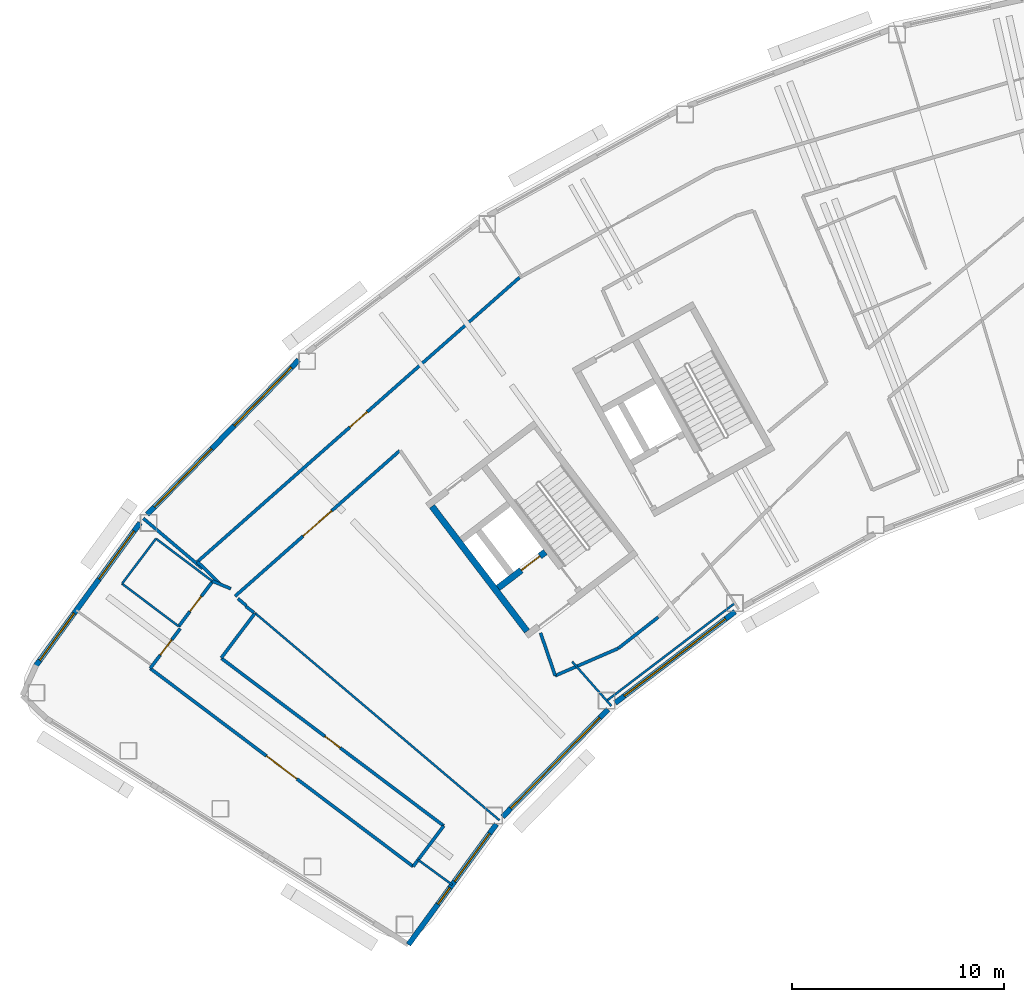
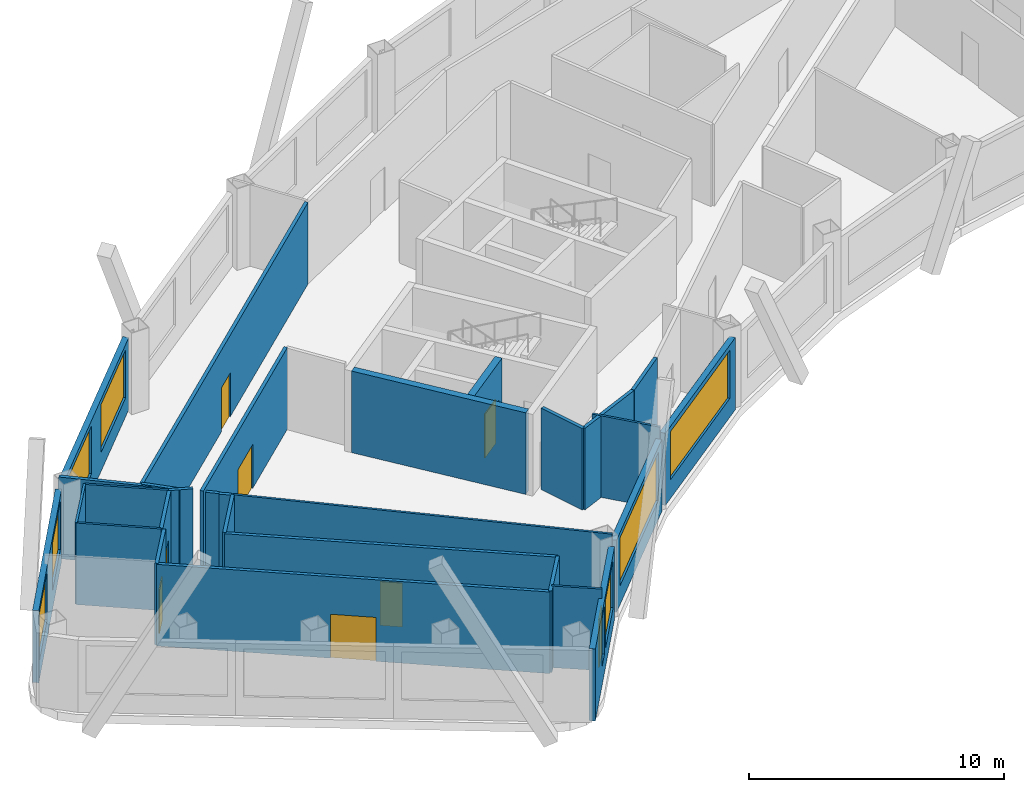
# One storey, part 5 of 13: 30 walls, 8 windows, 7 doors, 15 openings.
"""IFC4 building model written with IfcOpenShell, lengths in metres."""

from ifc_helpers import new_model, si_unit, direction, frame, frame_2d, origin, place, context, subcontext, project, spatial, rectangle, extrude, material, layer, layer_set, type_object, element, fill, save


model = new_model("IFC4")

# Units and contexts
model_context = context("Model", 3, precision=1e-05, world=origin(), true_north=direction((0.0, 1.0)))
body_context = subcontext(model_context, "Body", "Model", "MODEL_VIEW")
ifc_project = project(units=[si_unit("LENGTHUNIT", "METRE"), si_unit("AREAUNIT", "SQUARE_METRE"), si_unit("VOLUMEUNIT", "CUBIC_METRE"), si_unit("PLANEANGLEUNIT", "RADIAN"), si_unit("MASSUNIT", "GRAM", prefix="KILO")], contexts=[model_context])

# Site, building, storey
site_placement = place(None, origin())
site = spatial("IfcSite", under=ifc_project, at=site_placement, CompositionType="ELEMENT")
building_placement = place(site_placement, origin())
building = spatial("IfcBuilding", under=site, at=building_placement, Name="Tuul Gate Civic Tower", CompositionType="ELEMENT")
storey_placement = place(building_placement, frame((0.0, 0.0, 319.699951171875)))
storey = spatial("IfcBuildingStorey", under=building, at=storey_placement, Name="Level 72", CompositionType="ELEMENT", Elevation=319.699951171875)

# Wall, opening, door
ifc_material_1 = material(Name="Concrete C50/60", Category="concrete")
ifc_layer_1 = layer(ifc_material_1, 0.300048828125)
ifc_layer_set_1 = layer_set([ifc_layer_1], Name="Concrete C50/60")
wall_type_1 = type_object("IfcWallType", Name="Core wall C50/60", PredefinedType="SHEAR", material=ifc_layer_set_1)
wall_1_placement = place(storey_placement, frame((-35.470947265625, -13.66064453125, 0.0), z_axis=(0.0, 0.0, 1.0), x_axis=(-0.795615822227, -0.605801504968, 0.0)))
wall_1 = element("IfcWall", 1, at=wall_1_placement, inside=storey, type_object=wall_type_1, Name="Core wall", PredefinedType="SHEAR", context=body_context, shape_type="SweptSolid", body=[
    extrude(rectangle(XDim=2.800048828125, YDim=0.300048828125, at=frame_2d((1.39990234375, 0.0))), origin(), (0.0, 0.0, 1.0), 3.900146484375),
])
opening_1_placement = place(wall_1_placement, frame((0.324951171875, 0.0, 0.0)))
opening_1 = element("IfcOpeningElement", 2, at=opening_1_placement, cuts=wall_1, Name="Opening LD-H1", PredefinedType="OPENING", context=body_context, shape_type="SweptSolid", body=[
    extrude(rectangle(XDim=1.10009765625, YDim=2.10009765625, at=frame_2d((0.550048828125, 1.050048828125))), frame((0.0, 0.16015625, 0.0), z_axis=(0.0, -1.0, 0.0), x_axis=(1.0, 0.0, 0.0)), (0.0, 0.0, 1.0), 0.320068359375),
])
ifc_material_2 = material(Name="Stainless steel", Category="steel")
door_type_1 = type_object("IfcDoorType", Name="Landing door", OperationType="DOUBLE_DOOR_SLIDING", PredefinedType="DOOR", material=ifc_material_2)
door_1_placement = place(opening_1_placement, origin())
door_1 = element("IfcDoor", 3, at=door_1_placement, inside=storey, type_object=door_type_1, Name="High-rise lift H1 landing door", OperationType="DOUBLE_DOOR_SLIDING", OverallHeight=2.10009765625, OverallWidth=1.10009765625, PredefinedType="DOOR", context=body_context, shape_type="SweptSolid", body=[
    extrude(rectangle(XDim=1.10009765625, YDim=2.10009765625, at=frame_2d((0.550048828125, 1.050048828125))), frame((0.0, 0.02490234375, 0.0), z_axis=(0.0, -1.0, 0.0), x_axis=(1.0, 0.0, 0.0)), (0.0, 0.0, 1.0), 0.050048828125),
])
fill(opening_1, door_1)

# Wall
wall_2_placement = place(storey_placement, frame((-36.333984375, -17.397216796875, 0.0), z_axis=(0.0, 0.0, 1.0), x_axis=(-0.605753921168, 0.795652051458, 0.0)))
element("IfcWall", 4, at=wall_2_placement, inside=storey, type_object=wall_type_1, Name="Core wall", PredefinedType="SHEAR", context=body_context, shape_type="SweptSolid", body=[
    extrude(rectangle(XDim=7.400146484375, YDim=0.300048828125, at=frame_2d((3.7001953125, 0.0))), origin(), (0.0, 0.0, 1.0), 3.900146484375),
])

# Wall, opening, door
ifc_material_3 = material(Name="Gypsum board partition")
ifc_layer_2 = layer(ifc_material_3, 0.14990234375)
ifc_layer_set_2 = layer_set([ifc_layer_2], Name="Gypsum board partition")
wall_type_2 = type_object("IfcWallType", Name="Corridor wall P150", PredefinedType="PARTITIONING", material=ifc_layer_set_2)
wall_3_placement = place(storey_placement, frame((-51.87841796875, -14.11865234375, 0.0), z_axis=(0.0, 0.0, 1.0), x_axis=(0.749760133778, 0.661709711125, 0.0)))
wall_3 = element("IfcWall", 5, at=wall_3_placement, inside=storey, type_object=wall_type_2, Name="p037", PredefinedType="PARTITIONING", context=body_context, shape_type="SweptSolid", body=[
    extrude(rectangle(XDim=20.260498046875, YDim=0.14990234375, at=frame_2d((10.13037109375, 0.0))), origin(), (0.0, 0.0, 1.0), 3.900146484375),
])
opening_2_placement = place(wall_3_placement, frame((9.580078125, 0.0, 0.0)))
opening_2 = element("IfcOpeningElement", 6, at=opening_2_placement, cuts=wall_3, Name="Opening AA-D05", PredefinedType="OPENING", context=body_context, shape_type="SweptSolid", body=[
    extrude(rectangle(XDim=1.10009765625, YDim=2.10009765625, at=frame_2d((0.550048828125, 1.050048828125))), frame((0.0, 0.0849609375, 0.0), z_axis=(0.0, -1.0, 0.0), x_axis=(1.0, 0.0, 0.0)), (0.0, 0.0, 1.0), 0.169921875),
])
ifc_material_4 = material(Name="Timber door leaf", Category="wood")
door_type_2 = type_object("IfcDoorType", Name="Door D11", OperationType="NOTDEFINED", PredefinedType="DOOR", material=ifc_material_4)
door_2_placement = place(opening_2_placement, origin())
door_2 = element("IfcDoor", 7, at=door_2_placement, inside=storey, type_object=door_type_2, Name="Door AA-D05", OperationType="SINGLE_SWING_RIGHT", OverallHeight=2.10009765625, OverallWidth=1.10009765625, PredefinedType="DOOR", context=body_context, shape_type="SweptSolid", body=[
    extrude(rectangle(XDim=1.10009765625, YDim=2.10009765625, at=frame_2d((0.550048828125, 1.050048828125))), frame((0.0, 0.02490234375, 0.0), z_axis=(0.0, -1.0, 0.0), x_axis=(1.0, 0.0, 0.0)), (0.0, 0.0, 1.0), 0.050048828125),
])
fill(opening_2, door_2)

# Walls
wall_4_placement = place(storey_placement, frame((-51.87841796875, -14.11962890625, 0.0), z_axis=(0.0, 0.0, 1.0), x_axis=(0.711673860688, -0.702510011326, 0.0)))
element("IfcWall", 8, at=wall_4_placement, inside=storey, type_object=wall_type_2, Name="p038", PredefinedType="PARTITIONING", context=body_context, shape_type="SweptSolid", body=[
    extrude(rectangle(XDim=1.57177734375, YDim=0.14990234375, at=frame_2d((0.785888671875, 0.0))), origin(), (0.0, 0.0, 1.0), 3.900146484375),
])
wall_5_placement = place(storey_placement, frame((-54.4326171875, -12.07421875, 0.0), z_axis=(0.0, 0.0, 1.0), x_axis=(0.762901166705, -0.646515127309, 0.0)))
element("IfcWall", 9, at=wall_5_placement, inside=storey, type_object=wall_type_2, Name="p039", PredefinedType="PARTITIONING", context=body_context, shape_type="SweptSolid", body=[
    extrude(rectangle(XDim=3.666748046875, YDim=0.14990234375, at=frame_2d((1.83349609375, 0.0))), origin(), (0.0, 0.0, 1.0), 3.900146484375),
])
wall_6_placement = place(storey_placement, frame((-49.968994140625, -15.857421875, 0.0), z_axis=(0.0, 0.0, 1.0), x_axis=(0.762801987049, -0.64663214315, 0.0)))
element("IfcWall", 10, at=wall_6_placement, inside=storey, type_object=wall_type_2, Name="p040", PredefinedType="PARTITIONING", context=body_context, shape_type="SweptSolid", body=[
    extrude(rectangle(XDim=0.523193359375, YDim=0.14990234375, at=frame_2d((0.26171875, 0.0))), origin(), (0.0, 0.0, 1.0), 3.900146484375),
])
wall_7_placement = place(storey_placement, frame((-41.705078125, -28.493408203125, 0.0), z_axis=(0.0, 0.0, 1.0), x_axis=(0.601790021966, 0.798654349179, 0.0)))
element("IfcWall", 11, at=wall_7_placement, inside=storey, type_object=wall_type_2, Name="p046", PredefinedType="PARTITIONING", context=body_context, shape_type="SweptSolid", body=[
    extrude(rectangle(XDim=2.3984375, YDim=0.14990234375, at=frame_2d((1.19921875, 0.0))), origin(), (0.0, 0.0, 1.0), 3.900146484375),
])

# Wall, opening, door
wall_8_placement = place(storey_placement, frame((-50.7451171875, -18.67724609375, 0.0), z_axis=(0.0, 0.0, 1.0), x_axis=(0.798640971106, -0.601807776015, 0.0)))
wall_8 = element("IfcWall", 12, at=wall_8_placement, inside=storey, type_object=wall_type_2, Name="p047", PredefinedType="PARTITIONING", context=body_context, shape_type="SweptSolid", body=[
    extrude(rectangle(XDim=13.12646484375, YDim=0.14990234375, at=frame_2d((6.563232421875, 0.0))), origin(), (0.0, 0.0, 1.0), 3.900146484375),
])
opening_3_placement = place(wall_8_placement, frame((6.11328125, 0.0, 0.0)))
opening_3 = element("IfcOpeningElement", 13, at=opening_3_placement, cuts=wall_8, Name="Opening AA-D06", PredefinedType="OPENING", context=body_context, shape_type="SweptSolid", body=[
    extrude(rectangle(XDim=0.89990234375, YDim=2.10009765625, at=frame_2d((0.449951171875, 1.050048828125))), frame((0.0, 0.0849609375, 0.0), z_axis=(0.0, -1.0, 0.0), x_axis=(1.0, 0.0, 0.0)), (0.0, 0.0, 1.0), 0.169921875),
])
ifc_material_5 = material(Name="Timber door leaf", Category="wood")
door_type_3 = type_object("IfcDoorType", Name="Door D09", OperationType="NOTDEFINED", PredefinedType="DOOR", material=ifc_material_5)
door_3_placement = place(opening_3_placement, origin())
door_3 = element("IfcDoor", 14, at=door_3_placement, inside=storey, type_object=door_type_3, Name="Door AA-D06", OperationType="SINGLE_SWING_RIGHT", OverallHeight=2.10009765625, OverallWidth=0.89990234375, PredefinedType="DOOR", context=body_context, shape_type="SweptSolid", body=[
    extrude(rectangle(XDim=0.89990234375, YDim=2.10009765625, at=frame_2d((0.449951171875, 1.050048828125))), frame((0.0, 0.02490234375, 0.0), z_axis=(0.0, -1.0, 0.0), x_axis=(1.0, 0.0, 0.0)), (0.0, 0.0, 1.0), 0.050048828125),
])
fill(opening_3, door_3)

# Wall
wall_9_placement = place(storey_placement, frame((-50.7490234375, -18.649169921875, 0.0), z_axis=(0.0, 0.0, 1.0), x_axis=(0.601833006212, 0.798621958522, 0.0)))
element("IfcWall", 15, at=wall_9_placement, inside=storey, type_object=wall_type_2, Name="p048", PredefinedType="PARTITIONING", context=body_context, shape_type="SweptSolid", body=[
    extrude(rectangle(XDim=2.618896484375, YDim=0.14990234375, at=frame_2d((1.3095703125, 0.0))), origin(), (0.0, 0.0, 1.0), 3.900146484375),
])

# Wall, opening, door
wall_10_placement = place(storey_placement, frame((-52.7626953125, -17.1689453125, 0.0), z_axis=(0.0, 0.0, 1.0), x_axis=(0.601806091049, 0.798642240792, 0.0)))
wall_10 = element("IfcWall", 16, at=wall_10_placement, inside=storey, type_object=wall_type_2, Name="p049", PredefinedType="PARTITIONING", context=body_context, shape_type="SweptSolid", body=[
    extrude(rectangle(XDim=2.657958984375, YDim=0.14990234375, at=frame_2d((1.3291015625, 0.0))), origin(), (0.0, 0.0, 1.0), 3.900146484375),
])
opening_4_placement = place(wall_10_placement, frame((0.879150390625, 0.0, 0.0)))
opening_4 = element("IfcOpeningElement", 17, at=opening_4_placement, cuts=wall_10, Name="Opening AA-D07", PredefinedType="OPENING", context=body_context, shape_type="SweptSolid", body=[
    extrude(rectangle(XDim=0.89990234375, YDim=2.10009765625, at=frame_2d((0.449951171875, 1.050048828125))), frame((0.0, 0.0849609375, 0.0), z_axis=(0.0, -1.0, 0.0), x_axis=(1.0, 0.0, 0.0)), (0.0, 0.0, 1.0), 0.169921875),
])
door_4_placement = place(opening_4_placement, origin())
door_4 = element("IfcDoor", 18, at=door_4_placement, inside=storey, type_object=door_type_3, Name="Door AA-D07", OperationType="SINGLE_SWING_RIGHT", OverallHeight=2.10009765625, OverallWidth=0.89990234375, PredefinedType="DOOR", context=body_context, shape_type="SweptSolid", body=[
    extrude(rectangle(XDim=0.89990234375, YDim=2.10009765625, at=frame_2d((0.449951171875, 1.050048828125))), frame((0.0, 0.02490234375, 0.0), z_axis=(0.0, -1.0, 0.0), x_axis=(1.0, 0.0, 0.0)), (0.0, 0.0, 1.0), 0.050048828125),
])
fill(opening_4, door_4)

# Walls
wall_11_placement = place(storey_placement, frame((-51.18701171875, -15.028076171875, 0.0), z_axis=(0.0, 0.0, 1.0), x_axis=(0.924566919074, -0.381019700481, 0.0)))
element("IfcWall", 19, at=wall_11_placement, inside=storey, type_object=wall_type_2, Name="p050", PredefinedType="PARTITIONING", context=body_context, shape_type="SweptSolid", body=[
    extrude(rectangle(XDim=0.955322265625, YDim=0.14990234375, at=frame_2d((0.4775390625, 0.0))), origin(), (0.0, 0.0, 1.0), 3.900146484375),
])
wall_12_placement = place(storey_placement, frame((-49.594482421875, -16.228515625, 0.0), z_axis=(0.0, 0.0, 1.0), x_axis=(0.798668600467, -0.60177110817, 0.0)))
element("IfcWall", 20, at=wall_12_placement, inside=storey, type_object=wall_type_2, Name="p051", PredefinedType="PARTITIONING", context=body_context, shape_type="SweptSolid", body=[
    extrude(rectangle(XDim=0.48486328125, YDim=0.14990234375, at=frame_2d((0.242431640625, 0.0))), origin(), (0.0, 0.0, 1.0), 3.900146484375),
])

# Wall, opening, door
wall_13_placement = place(storey_placement, frame((-54.105224609375, -19.1494140625, 0.0), z_axis=(0.0, 0.0, 1.0), x_axis=(0.601810855583, 0.798638650519, 0.0)))
wall_13 = element("IfcWall", 21, at=wall_13_placement, inside=storey, type_object=wall_type_2, Name="p055", PredefinedType="PARTITIONING", context=body_context, shape_type="SweptSolid", body=[
    extrude(rectangle(XDim=2.349365234375, YDim=0.14990234375, at=frame_2d((1.1748046875, 0.0))), origin(), (0.0, 0.0, 1.0), 3.900146484375),
])
opening_5_placement = place(wall_13_placement, frame((0.788818359375, 0.0, 0.0)))
opening_5 = element("IfcOpeningElement", 22, at=opening_5_placement, cuts=wall_13, Name="Opening AA-D26", PredefinedType="OPENING", context=body_context, shape_type="SweptSolid", body=[
    extrude(rectangle(XDim=0.89990234375, YDim=2.10009765625, at=frame_2d((0.449951171875, 1.050048828125))), frame((0.0, 0.0849609375, 0.0), z_axis=(0.0, -1.0, 0.0), x_axis=(1.0, 0.0, 0.0)), (0.0, 0.0, 1.0), 0.169921875),
])
door_5_placement = place(opening_5_placement, origin())
door_5 = element("IfcDoor", 23, at=door_5_placement, inside=storey, type_object=door_type_3, Name="Door AA-D26", OperationType="SINGLE_SWING_LEFT", OverallHeight=2.10009765625, OverallWidth=0.89990234375, PredefinedType="DOOR", context=body_context, shape_type="SweptSolid", body=[
    extrude(rectangle(XDim=0.89990234375, YDim=2.10009765625, at=frame_2d((0.449951171875, 1.050048828125))), frame((0.0, 0.02490234375, 0.0), z_axis=(0.0, -1.0, 0.0), x_axis=(1.0, 0.0, 0.0)), (0.0, 0.0, 1.0), 0.050048828125),
])
fill(opening_5, door_5)

wall_14_placement = place(storey_placement, frame((-54.10498046875, -19.150390625, 0.0), z_axis=(0.0, 0.0, 1.0), x_axis=(0.798635479728, -0.601815063387, 0.0)))
wall_14 = element("IfcWall", 24, at=wall_14_placement, inside=storey, type_object=wall_type_2, Name="p056", PredefinedType="PARTITIONING", context=body_context, shape_type="SweptSolid", body=[
    extrude(rectangle(XDim=15.525146484375, YDim=0.14990234375, at=frame_2d((7.7626953125, 0.0))), origin(), (0.0, 0.0, 1.0), 3.900146484375),
])
opening_6_placement = place(wall_14_placement, frame((6.862548828125, 0.0, 0.0)))
opening_6 = element("IfcOpeningElement", 25, at=opening_6_placement, cuts=wall_14, Name="Opening AA-D08", PredefinedType="OPENING", context=body_context, shape_type="SweptSolid", body=[
    extrude(rectangle(XDim=1.800048828125, YDim=2.10009765625, at=frame_2d((0.89990234375, 1.050048828125))), frame((0.0, 0.0849609375, 0.0), z_axis=(0.0, -1.0, 0.0), x_axis=(1.0, 0.0, 0.0)), (0.0, 0.0, 1.0), 0.169921875),
])
ifc_material_6 = material(Name="Timber door leaf, double", Category="wood")
door_type_4 = type_object("IfcDoorType", Name="Door D18", OperationType="DOUBLE_DOOR_SINGLE_SWING", PredefinedType="DOOR", material=ifc_material_6)
door_6_placement = place(opening_6_placement, frame((1.800048828125, 0.0, 0.0), z_axis=(0.0, 0.0, 1.0), x_axis=(-1.0, 0.0, 0.0)))
door_6 = element("IfcDoor", 26, at=door_6_placement, inside=storey, type_object=door_type_4, Name="Door AA-D08", OperationType="DOUBLE_DOOR_SINGLE_SWING", OverallHeight=2.10009765625, OverallWidth=1.800048828125, PredefinedType="DOOR", context=body_context, shape_type="SweptSolid", body=[
    extrude(rectangle(XDim=1.800048828125, YDim=2.10009765625, at=frame_2d((0.900146484375, 1.050048828125))), frame((0.0, 0.02490234375, 0.0), z_axis=(0.0, -1.0, 0.0), x_axis=(1.0, 0.0, 0.0)), (0.0, 0.0, 1.0), 0.050048828125),
])
fill(opening_6, door_6)

# Walls
wall_15_placement = place(storey_placement, frame((-35.00390625, -19.4951171875, 0.0), z_axis=(0.0, 0.0, 1.0), x_axis=(0.917587753469, 0.397533287517, 0.0)))
element("IfcWall", 27, at=wall_15_placement, inside=storey, type_object=wall_type_2, Name="p078", PredefinedType="PARTITIONING", context=body_context, shape_type="SweptSolid", body=[
    extrude(rectangle(XDim=3.234130859375, YDim=0.14990234375, at=frame_2d((1.6171875, 0.0))), origin(), (0.0, 0.0, 1.0), 3.900146484375),
])
wall_16_placement = place(storey_placement, frame((-32.035400390625, -18.20947265625, 0.0), z_axis=(0.0, 0.0, 1.0), x_axis=(0.788045977817, 0.615616387734, 0.0)))
element("IfcWall", 28, at=wall_16_placement, inside=storey, type_object=wall_type_2, Name="p093", PredefinedType="PARTITIONING", context=body_context, shape_type="SweptSolid", body=[
    extrude(rectangle(XDim=2.3984375, YDim=0.14990234375, at=frame_2d((1.19921875, 0.0))), origin(), (0.0, 0.0, 1.0), 3.900146484375),
])

# Wall, opening, door
wall_17_placement = place(storey_placement, frame((-50.102294921875, -15.744384765625, 0.0), z_axis=(0.0, 0.0, 1.0), x_axis=(0.749324461292, 0.662203029069, 0.0)))
wall_17 = element("IfcWall", 29, at=wall_17_placement, inside=storey, type_object=wall_type_2, Name="p095", PredefinedType="PARTITIONING", context=body_context, shape_type="SweptSolid", body=[
    extrude(rectangle(XDim=10.357421875, YDim=0.14990234375, at=frame_2d((5.1787109375, 0.0))), origin(), (0.0, 0.0, 1.0), 3.900146484375),
])
opening_7_placement = place(wall_17_placement, frame((4.278564453125, 0.0, 0.0)))
opening_7 = element("IfcOpeningElement", 30, at=opening_7_placement, cuts=wall_17, Name="Opening AA-D19", PredefinedType="OPENING", context=body_context, shape_type="SweptSolid", body=[
    extrude(rectangle(XDim=1.800048828125, YDim=2.10009765625, at=frame_2d((0.89990234375, 1.050048828125))), frame((0.0, 0.0849609375, 0.0), z_axis=(0.0, -1.0, 0.0), x_axis=(1.0, 0.0, 0.0)), (0.0, 0.0, 1.0), 0.169921875),
])
door_7_placement = place(opening_7_placement, frame((1.800048828125, 0.0, 0.0), z_axis=(0.0, 0.0, 1.0), x_axis=(-1.0, 0.0, 0.0)))
door_7 = element("IfcDoor", 31, at=door_7_placement, inside=storey, type_object=door_type_4, Name="Door AA-D19", OperationType="DOUBLE_DOOR_SINGLE_SWING", OverallHeight=2.10009765625, OverallWidth=1.800048828125, PredefinedType="DOOR", context=body_context, shape_type="SweptSolid", body=[
    extrude(rectangle(XDim=1.800048828125, YDim=2.10009765625, at=frame_2d((0.900146484375, 1.050048828125))), frame((0.0, 0.02490234375, 0.0), z_axis=(0.0, -1.0, 0.0), x_axis=(1.0, 0.0, 0.0)), (0.0, 0.0, 1.0), 0.050048828125),
])
fill(opening_7, door_7)

# Wall
wall_18_placement = place(storey_placement, frame((-35.695556640625, -17.4765625, 0.0), z_axis=(0.0, 0.0, 1.0), x_axis=(0.324145880137, -0.946007108002, 0.0)))
element("IfcWall", 32, at=wall_18_placement, inside=storey, type_object=wall_type_2, Name="p097", PredefinedType="PARTITIONING", context=body_context, shape_type="SweptSolid", body=[
    extrude(rectangle(XDim=2.1337890625, YDim=0.14990234375, at=frame_2d((1.06689453125, 0.0))), origin(), (0.0, 0.0, 1.0), 3.900146484375),
])

# Wall, openings, windows
ifc_material_7 = material(Name="Precast concrete C40/50", Category="concrete")
ifc_layer_3 = layer(ifc_material_7, 0.25)
ifc_layer_set_3 = layer_set([ifc_layer_3], Name="Precast concrete C40/50")
wall_type_3 = type_object("IfcWallType", Name="External wall", PredefinedType="STANDARD", material=ifc_layer_set_3)
wall_19_placement = place(storey_placement, frame((-47.10595703125, -4.607666015625, 0.0), z_axis=(0.0, 0.0, 1.0), x_axis=(-0.700055609081, -0.714088330807, 0.0)))
wall_19 = element("IfcWall", 33, at=wall_19_placement, inside=storey, type_object=wall_type_3, Name="External wall", PredefinedType="STANDARD", context=body_context, shape_type="SweptSolid", body=[
    extrude(rectangle(XDim=10.1953125, YDim=0.25, at=frame_2d((5.09765625, 0.0))), origin(), (0.0, 0.0, 1.0), 3.449951171875),
])
opening_8_placement = place(wall_19_placement, frame((0.4873046875, 0.0, 0.89990234375)))
opening_8 = element("IfcOpeningElement", 34, at=opening_8_placement, cuts=wall_19, Name="Opening W22", PredefinedType="OPENING", context=body_context, shape_type="SweptSolid", body=[
    extrude(rectangle(XDim=3.85009765625, YDim=2.300048828125, at=frame_2d((1.925048828125, 1.14990234375))), frame((0.0, 0.135009765625, 0.0), z_axis=(0.0, -1.0, 0.0), x_axis=(1.0, 0.0, 0.0)), (0.0, 0.0, 1.0), 0.27001953125),
])
opening_9_placement = place(wall_19_placement, frame((5.8583984375, 0.0, 0.89990234375)))
opening_9 = element("IfcOpeningElement", 35, at=opening_9_placement, cuts=wall_19, Name="Opening W22", PredefinedType="OPENING", context=body_context, shape_type="SweptSolid", body=[
    extrude(rectangle(XDim=3.85009765625, YDim=2.300048828125, at=frame_2d((1.925048828125, 1.14990234375))), frame((0.0, 0.135009765625, 0.0), z_axis=(0.0, -1.0, 0.0), x_axis=(1.0, 0.0, 0.0)), (0.0, 0.0, 1.0), 0.27001953125),
])
ifc_material_8 = material(Name="Glass", Category="glass")
window_type_1 = type_object("IfcWindowType", Name="Window W22 3850 x 2300", PartitioningType="SINGLE_PANEL", PredefinedType="WINDOW", material=ifc_material_8)
window_1_placement = place(opening_8_placement, origin())
window_1 = element("IfcWindow", 36, at=window_1_placement, inside=storey, type_object=window_type_1, Name="Window", OverallHeight=2.300048828125, OverallWidth=3.85009765625, PartitioningType="SINGLE_PANEL", PredefinedType="WINDOW", context=body_context, shape_type="SweptSolid", body=[
    extrude(rectangle(XDim=3.85009765625, YDim=2.300048828125, at=frame_2d((1.925048828125, 1.14990234375))), frame((0.0, 0.030029296875, 0.0), z_axis=(0.0, -1.0, 0.0), x_axis=(1.0, 0.0, 0.0)), (0.0, 0.0, 1.0), 0.06005859375),
])
fill(opening_8, window_1)
window_2_placement = place(opening_9_placement, origin())
window_2 = element("IfcWindow", 37, at=window_2_placement, inside=storey, type_object=window_type_1, Name="Window", OverallHeight=2.300048828125, OverallWidth=3.85009765625, PartitioningType="SINGLE_PANEL", PredefinedType="WINDOW", context=body_context, shape_type="SweptSolid", body=[
    extrude(rectangle(XDim=3.85009765625, YDim=2.300048828125, at=frame_2d((1.925048828125, 1.14990234375))), frame((0.0, 0.030029296875, 0.0), z_axis=(0.0, -1.0, 0.0), x_axis=(1.0, 0.0, 0.0)), (0.0, 0.0, 1.0), 0.06005859375),
])
fill(opening_9, window_2)

wall_20_placement = place(storey_placement, frame((-54.580078125, -12.28466796875, 0.0), z_axis=(0.0, 0.0, 1.0), x_axis=(-0.58975151757, -0.80758476182, 0.0)))
wall_20 = element("IfcWall", 38, at=wall_20_placement, inside=storey, type_object=wall_type_3, Name="External wall", PredefinedType="STANDARD", context=body_context, shape_type="SweptSolid", body=[
    extrude(rectangle(XDim=8.33740234375, YDim=0.25, at=frame_2d((4.168701171875, 0.0))), origin(), (0.0, 0.0, 1.0), 3.449951171875),
])
opening_10_placement = place(wall_20_placement, frame((0.48486328125, 0.0, 0.89990234375)))
opening_10 = element("IfcOpeningElement", 39, at=opening_10_placement, cuts=wall_20, Name="Opening W23", PredefinedType="OPENING", context=body_context, shape_type="SweptSolid", body=[
    extrude(rectangle(XDim=2.800048828125, YDim=2.300048828125, at=frame_2d((1.39990234375, 1.14990234375))), frame((0.0, 0.135009765625, 0.0), z_axis=(0.0, -1.0, 0.0), x_axis=(1.0, 0.0, 0.0)), (0.0, 0.0, 1.0), 0.27001953125),
])
opening_11_placement = place(wall_20_placement, frame((5.283203125, 0.0, 0.89990234375)))
opening_11 = element("IfcOpeningElement", 40, at=opening_11_placement, cuts=wall_20, Name="Opening W30", PredefinedType="OPENING", context=body_context, shape_type="SweptSolid", body=[
    extrude(rectangle(XDim=2.75, YDim=2.300048828125, at=frame_2d((1.375, 1.14990234375))), frame((0.0, 0.135009765625, 0.0), z_axis=(0.0, -1.0, 0.0), x_axis=(1.0, 0.0, 0.0)), (0.0, 0.0, 1.0), 0.27001953125),
])
ifc_material_9 = material(Name="Glass", Category="glass")
window_type_2 = type_object("IfcWindowType", Name="Window 2750 x 2300", PartitioningType="SINGLE_PANEL", PredefinedType="WINDOW", material=ifc_material_9)
window_3_placement = place(opening_11_placement, origin())
window_3 = element("IfcWindow", 41, at=window_3_placement, inside=storey, type_object=window_type_2, Name="Window", OverallHeight=2.300048828125, OverallWidth=2.75, PartitioningType="SINGLE_PANEL", PredefinedType="WINDOW", context=body_context, shape_type="SweptSolid", body=[
    extrude(rectangle(XDim=2.75, YDim=2.300048828125, at=frame_2d((1.375, 1.14990234375))), frame((0.0, 0.030029296875, 0.0), z_axis=(0.0, -1.0, 0.0), x_axis=(1.0, 0.0, 0.0)), (0.0, 0.0, 1.0), 0.06005859375),
])
fill(opening_11, window_3)
ifc_material_10 = material(Name="Glass", Category="glass")
window_type_3 = type_object("IfcWindowType", Name="Window W23 2800 x 2300", PartitioningType="SINGLE_PANEL", PredefinedType="WINDOW", material=ifc_material_10)
window_4_placement = place(opening_10_placement, origin())
window_4 = element("IfcWindow", 42, at=window_4_placement, inside=storey, type_object=window_type_3, Name="Window", OverallHeight=2.300048828125, OverallWidth=2.800048828125, PartitioningType="SINGLE_PANEL", PredefinedType="WINDOW", context=body_context, shape_type="SweptSolid", body=[
    extrude(rectangle(XDim=2.800048828125, YDim=2.300048828125, at=frame_2d((1.39990234375, 1.14990234375))), frame((0.0, 0.030029296875, 0.0), z_axis=(0.0, -1.0, 0.0), x_axis=(1.0, 0.0, 0.0)), (0.0, 0.0, 1.0), 0.06005859375),
])
fill(opening_10, window_4)

wall_21_placement = place(storey_placement, frame((-41.927490234375, -32.177490234375, 0.0), z_axis=(0.0, 0.0, 1.0), x_axis=(0.589749390831, 0.8075863149, 0.0)))
wall_21 = element("IfcWall", 43, at=wall_21_placement, inside=storey, type_object=wall_type_3, Name="External wall", PredefinedType="STANDARD", context=body_context, shape_type="SweptSolid", body=[
    extrude(rectangle(XDim=7.033935546875, YDim=0.25, at=frame_2d((3.51708984375, 0.0))), origin(), (0.0, 0.0, 1.0), 3.449951171875),
])
opening_12_placement = place(wall_21_placement, frame((2.36474609375, 0.0, 0.89990234375)))
opening_12 = element("IfcOpeningElement", 44, at=opening_12_placement, cuts=wall_21, Name="Opening W71", PredefinedType="OPENING", context=body_context, shape_type="SweptSolid", body=[
    extrude(rectangle(XDim=0.949951171875, YDim=2.300048828125, at=frame_2d((0.47509765625, 1.14990234375))), frame((0.0, 0.135009765625, 0.0), z_axis=(0.0, -1.0, 0.0), x_axis=(1.0, 0.0, 0.0)), (0.0, 0.0, 1.0), 0.27001953125),
])
opening_13_placement = place(wall_21_placement, frame((3.68994140625, 0.0, 0.89990234375)))
opening_13 = element("IfcOpeningElement", 45, at=opening_13_placement, cuts=wall_21, Name="Opening W36", PredefinedType="OPENING", context=body_context, shape_type="SweptSolid", body=[
    extrude(rectangle(XDim=2.800048828125, YDim=2.300048828125, at=frame_2d((1.39990234375, 1.14990234375))), frame((0.0, 0.135009765625, 0.0), z_axis=(0.0, -1.0, 0.0), x_axis=(1.0, 0.0, 0.0)), (0.0, 0.0, 1.0), 0.27001953125),
])
ifc_material_11 = material(Name="Glass", Category="glass")
window_type_4 = type_object("IfcWindowType", Name="Window 2800 x 2300", PartitioningType="SINGLE_PANEL", PredefinedType="WINDOW", material=ifc_material_11)
window_5_placement = place(opening_13_placement, origin())
window_5 = element("IfcWindow", 46, at=window_5_placement, inside=storey, type_object=window_type_4, Name="Window", OverallHeight=2.300048828125, OverallWidth=2.800048828125, PartitioningType="SINGLE_PANEL", PredefinedType="WINDOW", context=body_context, shape_type="SweptSolid", body=[
    extrude(rectangle(XDim=2.800048828125, YDim=2.300048828125, at=frame_2d((1.39990234375, 1.14990234375))), frame((0.0, 0.030029296875, 0.0), z_axis=(0.0, -1.0, 0.0), x_axis=(1.0, 0.0, 0.0)), (0.0, 0.0, 1.0), 0.06005859375),
])
fill(opening_13, window_5)
ifc_material_12 = material(Name="Glass", Category="glass")
window_type_5 = type_object("IfcWindowType", Name="Window 950 x 2300", PartitioningType="SINGLE_PANEL", PredefinedType="WINDOW", material=ifc_material_12)
window_6_placement = place(opening_12_placement, origin())
window_6 = element("IfcWindow", 47, at=window_6_placement, inside=storey, type_object=window_type_5, Name="Window", OverallHeight=2.300048828125, OverallWidth=0.949951171875, PartitioningType="SINGLE_PANEL", PredefinedType="WINDOW", context=body_context, shape_type="SweptSolid", body=[
    extrude(rectangle(XDim=0.949951171875, YDim=2.300048828125, at=frame_2d((0.47509765625, 1.14990234375))), frame((0.0, 0.030029296875, 0.0), z_axis=(0.0, -1.0, 0.0), x_axis=(1.0, 0.0, 0.0)), (0.0, 0.0, 1.0), 0.06005859375),
])
fill(opening_12, window_6)

# Wall, opening, window
wall_22_placement = place(storey_placement, frame((-37.489013671875, -26.15234375, 0.0), z_axis=(0.0, 0.0, 1.0), x_axis=(0.700085141996, 0.714059377052, 0.0)))
wall_22 = element("IfcWall", 48, at=wall_22_placement, inside=storey, type_object=wall_type_3, Name="External wall", PredefinedType="STANDARD", context=body_context, shape_type="SweptSolid", body=[
    extrude(rectangle(XDim=7.110595703125, YDim=0.25, at=frame_2d((3.55517578125, 0.0))), origin(), (0.0, 0.0, 1.0), 3.449951171875),
])
opening_14_placement = place(wall_22_placement, frame((0.5556640625, 0.0, 0.89990234375)))
opening_14 = element("IfcOpeningElement", 49, at=opening_14_placement, cuts=wall_22, Name="Opening W26", PredefinedType="OPENING", context=body_context, shape_type="SweptSolid", body=[
    extrude(rectangle(XDim=6.0, YDim=2.300048828125, at=frame_2d((3.0, 1.14990234375))), frame((0.0, 0.135009765625, 0.0), z_axis=(0.0, -1.0, 0.0), x_axis=(1.0, 0.0, 0.0)), (0.0, 0.0, 1.0), 0.27001953125),
])
ifc_material_13 = material(Name="Glass", Category="glass")
window_type_6 = type_object("IfcWindowType", Name="Window W26 6000 x 2300", PartitioningType="SINGLE_PANEL", PredefinedType="WINDOW", material=ifc_material_13)
window_7_placement = place(opening_14_placement, origin())
window_7 = element("IfcWindow", 50, at=window_7_placement, inside=storey, type_object=window_type_6, Name="Window", OverallHeight=2.300048828125, OverallWidth=6.0, PartitioningType="SINGLE_PANEL", PredefinedType="WINDOW", context=body_context, shape_type="SweptSolid", body=[
    extrude(rectangle(XDim=6.0, YDim=2.300048828125, at=frame_2d((3.0, 1.14990234375))), frame((0.0, 0.030029296875, 0.0), z_axis=(0.0, -1.0, 0.0), x_axis=(1.0, 0.0, 0.0)), (0.0, 0.0, 1.0), 0.06005859375),
])
fill(opening_14, window_7)

wall_23_placement = place(storey_placement, frame((-32.175048828125, -20.780029296875, 0.0), z_axis=(0.0, 0.0, 1.0), x_axis=(0.795582375141, 0.605845429433, 0.0)))
wall_23 = element("IfcWall", 51, at=wall_23_placement, inside=storey, type_object=wall_type_3, Name="External wall", PredefinedType="STANDARD", context=body_context, shape_type="SweptSolid", body=[
    extrude(rectangle(XDim=7.10400390625, YDim=0.25, at=frame_2d((3.552001953125, 0.0))), origin(), (0.0, 0.0, 1.0), 3.449951171875),
])
opening_15_placement = place(wall_23_placement, frame((0.541259765625, 0.0, 0.89990234375)))
opening_15 = element("IfcOpeningElement", 52, at=opening_15_placement, cuts=wall_23, Name="Opening W26", PredefinedType="OPENING", context=body_context, shape_type="SweptSolid", body=[
    extrude(rectangle(XDim=6.0, YDim=2.300048828125, at=frame_2d((3.0, 1.14990234375))), frame((0.0, 0.135009765625, 0.0), z_axis=(0.0, -1.0, 0.0), x_axis=(1.0, 0.0, 0.0)), (0.0, 0.0, 1.0), 0.27001953125),
])
window_8_placement = place(opening_15_placement, origin())
window_8 = element("IfcWindow", 53, at=window_8_placement, inside=storey, type_object=window_type_6, Name="Window", OverallHeight=2.300048828125, OverallWidth=6.0, PartitioningType="SINGLE_PANEL", PredefinedType="WINDOW", context=body_context, shape_type="SweptSolid", body=[
    extrude(rectangle(XDim=6.0, YDim=2.300048828125, at=frame_2d((3.0, 1.14990234375))), frame((0.0, 0.030029296875, 0.0), z_axis=(0.0, -1.0, 0.0), x_axis=(1.0, 0.0, 0.0)), (0.0, 0.0, 1.0), 0.06005859375),
])
fill(opening_15, window_8)

# Walls
ifc_material_14 = material(Name="Gypsum board partition")
ifc_layer_4 = layer(ifc_material_14, 0.10009765625)
ifc_layer_set_4 = layer_set([ifc_layer_4], Name="Gypsum board partition")
wall_type_4 = type_object("IfcWallType", Name="Partition P100", PredefinedType="PARTITIONING", material=ifc_layer_set_4)
wall_24_placement = place(storey_placement, frame((-49.164306640625, -16.53955078125, 0.0), z_axis=(0.0, 0.0, 1.0), x_axis=(0.762836304439, -0.646591658336, 0.0)))
element("IfcWall", 54, at=wall_24_placement, inside=storey, type_object=wall_type_4, Name="p043", PredefinedType="PARTITIONING", context=body_context, shape_type="SweptSolid", body=[
    extrude(rectangle(XDim=15.111083984375, YDim=0.10009765625, at=frame_2d((7.5556640625, 0.0))), origin(), (0.0, 0.0, 1.0), 3.900146484375),
])
wall_25_placement = place(storey_placement, frame((-41.47021484375, -28.181640625, 0.0), z_axis=(0.0, 0.0, 1.0), x_axis=(0.807552748324, -0.589795353215, 0.0)))
element("IfcWall", 55, at=wall_25_placement, inside=storey, type_object=wall_type_4, Name="p045", PredefinedType="PARTITIONING", context=body_context, shape_type="SweptSolid", body=[
    extrude(rectangle(XDim=1.9921875, YDim=0.10009765625, at=frame_2d((0.99609375, 0.0))), origin(), (0.0, 0.0, 1.0), 3.900146484375),
])
wall_26_placement = place(storey_placement, frame((-55.434814453125, -15.1552734375, 0.0), z_axis=(0.0, 0.0, 1.0), x_axis=(0.798623203001, -0.601831354806, 0.0)))
element("IfcWall", 56, at=wall_26_placement, inside=storey, type_object=wall_type_4, Name="p052", PredefinedType="PARTITIONING", context=body_context, shape_type="SweptSolid", body=[
    extrude(rectangle(XDim=3.345947265625, YDim=0.10009765625, at=frame_2d((1.6728515625, 0.0))), origin(), (0.0, 0.0, 1.0), 3.900146484375),
])
wall_27_placement = place(storey_placement, frame((-55.434814453125, -15.1552734375, 0.0), z_axis=(0.0, 0.0, 1.0), x_axis=(0.601776389703, 0.798664620974, 0.0)))
element("IfcWall", 57, at=wall_27_placement, inside=storey, type_object=wall_type_4, Name="p053", PredefinedType="PARTITIONING", context=body_context, shape_type="SweptSolid", body=[
    extrude(rectangle(XDim=2.658447265625, YDim=0.10009765625, at=frame_2d((1.3291015625, 0.0))), origin(), (0.0, 0.0, 1.0), 3.900146484375),
])
wall_28_placement = place(storey_placement, frame((-53.8349609375, -13.031982421875, 0.0), z_axis=(0.0, 0.0, 1.0), x_axis=(0.798526625726, -0.601959490336, 0.0)))
element("IfcWall", 58, at=wall_28_placement, inside=storey, type_object=wall_type_4, Name="p054", PredefinedType="PARTITIONING", context=body_context, shape_type="SweptSolid", body=[
    extrude(rectangle(XDim=3.345947265625, YDim=0.10009765625, at=frame_2d((1.6728515625, 0.0))), origin(), (0.0, 0.0, 1.0), 3.900146484375),
])
wall_29_placement = place(storey_placement, frame((-34.204345703125, -18.82861328125, 0.0), z_axis=(0.0, 0.0, 1.0), x_axis=(0.661696770135, -0.749771554804, 0.0)))
element("IfcWall", 59, at=wall_29_placement, inside=storey, type_object=wall_type_4, Name="p091", PredefinedType="PARTITIONING", context=body_context, shape_type="SweptSolid", body=[
    extrude(rectangle(XDim=2.794189453125, YDim=0.10009765625, at=frame_2d((1.39697265625, 0.0))), origin(), (0.0, 0.0, 1.0), 3.900146484375),
])
ifc_material_15 = material(Name="Gypsum board partition")
ifc_layer_5 = layer(ifc_material_15, 0.10009765625)
ifc_layer_set_5 = layer_set([ifc_layer_5], Name="Gypsum board partition")
wall_type_5 = type_object("IfcWallType", Name="Partition P100 3000 HIGH", PredefinedType="PARTITIONING", material=ifc_layer_set_5)
wall_30_placement = place(storey_placement, frame((-26.53466796875, -16.076171875, 0.0), z_axis=(0.0, 0.0, 1.0), x_axis=(-0.795583031994, -0.605844566868, 0.0)))
element("IfcWall", 60, at=wall_30_placement, inside=storey, type_object=wall_type_5, Name="p113", PredefinedType="PARTITIONING", context=body_context, shape_type="SweptSolid", body=[
    extrude(rectangle(XDim=7.591552734375, YDim=0.10009765625, at=frame_2d((3.7958984375, 0.0))), origin(), (0.0, 0.0, 1.0), 3.0),
])

save(model, "model.ifc")
